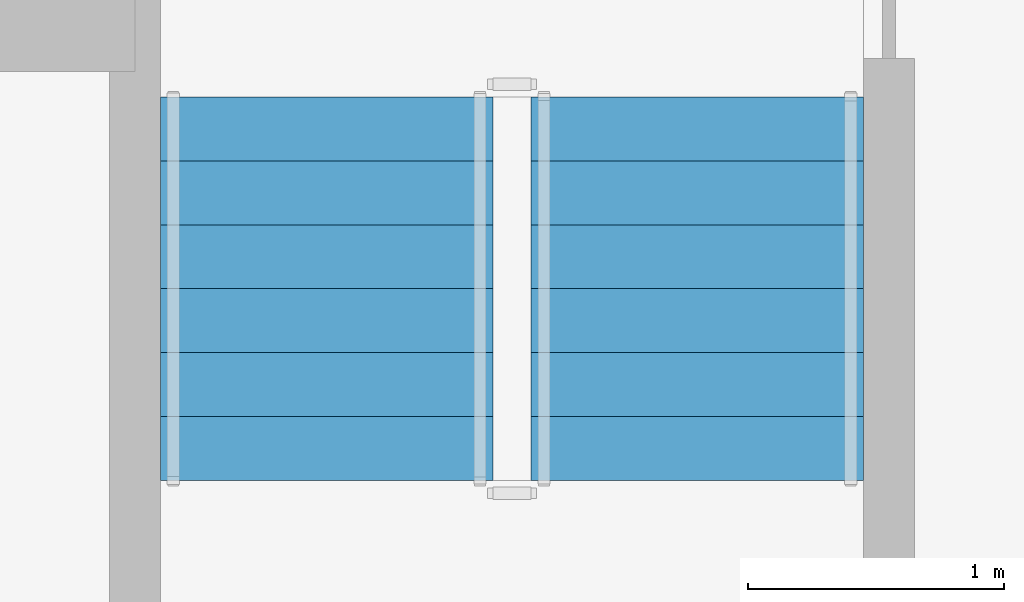
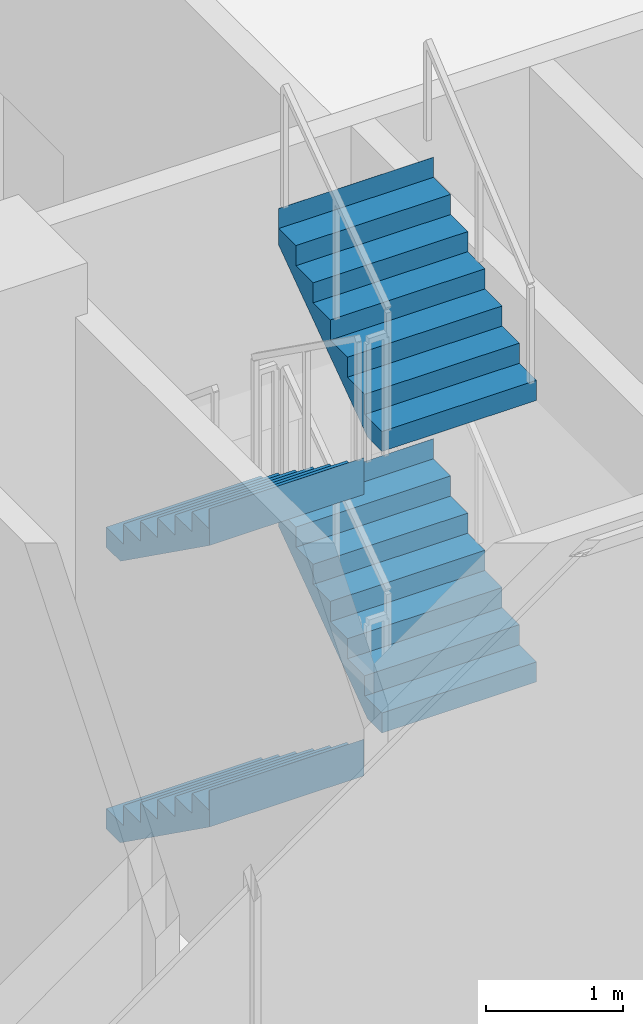
# One storey, part 29 of 57: 4 stair flights, 1 element without a shape of its own.
"""IFC4 building model written with IfcOpenShell, lengths in metres."""

from ifc_helpers import new_model, si_unit, direction, frame, origin, place, context, subcontext, project, spatial, triangles, material, type_object, element, aggregate, save


model = new_model("IFC4")

# Units and contexts
model_context = context("Model", 3, precision=1e-05, world=origin(), true_north=direction((0.0, 1.0)))
body_context = subcontext(model_context, "Body", "Model", "MODEL_VIEW")
ifc_project = project(units=[si_unit("LENGTHUNIT", "METRE"), si_unit("AREAUNIT", "SQUARE_METRE"), si_unit("VOLUMEUNIT", "CUBIC_METRE"), si_unit("PLANEANGLEUNIT", "RADIAN"), si_unit("MASSUNIT", "GRAM", prefix="KILO")], contexts=[model_context])

# Site, building, storey
site_placement = place(None, origin())
site = spatial("IfcSite", under=ifc_project, at=site_placement, CompositionType="ELEMENT")
building_placement = place(site_placement, origin())
building = spatial("IfcBuilding", under=site, at=building_placement, Name="Beryl Residences", CompositionType="ELEMENT")
storey_placement = place(building_placement, origin())
storey = spatial("IfcBuildingStorey", under=building, at=storey_placement, Name="L00", CompositionType="ELEMENT", Elevation=0.0)

# Stair, stair flights
ifc_material_1 = material(Name="Concrete C40/50", Category="concrete")
stair_type = type_object("IfcStairType", Name="ST1 protected exit stair, half-turn, 1300 mm flights", PredefinedType="HALF_TURN_STAIR", material=ifc_material_1)
stair_placement = place(storey_placement, origin())
stair = element("IfcStair", 1, at=stair_placement, inside=storey, type_object=stair_type, Name="L00 Podium exit stair 4", PredefinedType="HALF_TURN_STAIR")
ifc_material_2 = material(Name="Concrete C40/50", Category="concrete")
stair_flight_type = type_object("IfcStairFlightType", Name="SF1 stair flight 1300 mm", PredefinedType="STRAIGHT", material=ifc_material_2)
stair_flight_1_placement = place(storey_placement, frame((-41.949951171875, -27.60009765625, 0.0), z_axis=(0.0, 0.0, 1.0), x_axis=(0.0, -1.0, 0.0)))
stair_flight_1 = element("IfcStairFlight", 2, at=stair_flight_1_placement, type_object=stair_flight_type, Name="PS-4 flight 1", NumberOfRisers=7, NumberOfTreads=6, PredefinedType="STRAIGHT", RiserHeight=0.178571429, TreadLength=0.25, context=body_context, shape_type="Tessellation", body=[
    triangles([(0.0, -0.64990234375, 0.0), (0.0, -0.324951171875, 0.0), (0.0, 0.0, 0.0), (0.0, 0.324951171875, 0.0), (0.0, 0.64990234375, 0.0), (0.0, -0.64990234375, 0.178466796875), (0.0, -0.324951171875, 0.178466796875), (0.0, 0.0, 0.178466796875), (0.0, 0.324951171875, 0.178466796875), (0.0, 0.64990234375, 0.178466796875), (0.25, -0.64990234375, 0.178466796875), (0.25, -0.324951171875, 0.178466796875), (0.25, 0.0, 0.178466796875), (0.25, 0.324951171875, 0.178466796875), (0.25, 0.64990234375, 0.178466796875), (0.25, -0.64990234375, 0.357177734375), (0.25, -0.324951171875, 0.357177734375), (0.25, 0.0, 0.357177734375), (0.25, 0.324951171875, 0.357177734375), (0.25, 0.64990234375, 0.357177734375), (0.5, -0.64990234375, 0.357177734375), (0.5, -0.324951171875, 0.357177734375), (0.5, 0.0, 0.357177734375), (0.5, 0.324951171875, 0.357177734375), (0.5, 0.64990234375, 0.357177734375), (0.5, -0.64990234375, 0.53564453125), (0.5, -0.324951171875, 0.53564453125), (0.5, 0.0, 0.53564453125), (0.5, 0.324951171875, 0.53564453125), (0.5, 0.64990234375, 0.53564453125), (0.75, -0.64990234375, 0.53564453125), (0.75, -0.324951171875, 0.53564453125), (0.75, 0.0, 0.53564453125), (0.75, 0.324951171875, 0.53564453125), (0.75, 0.64990234375, 0.53564453125), (0.75, -0.64990234375, 0.71435546875), (0.75, -0.324951171875, 0.71435546875), (0.75, 0.0, 0.71435546875), (0.75, 0.324951171875, 0.71435546875), (0.75, 0.64990234375, 0.71435546875), (1.0, -0.64990234375, 0.71435546875), (1.0, -0.324951171875, 0.71435546875), (1.0, 0.0, 0.71435546875), (1.0, 0.324951171875, 0.71435546875), (1.0, 0.64990234375, 0.71435546875), (1.0, -0.64990234375, 0.892822265625), (1.0, -0.324951171875, 0.892822265625), (1.0, 0.0, 0.892822265625), (1.0, 0.324951171875, 0.892822265625), (1.0, 0.64990234375, 0.892822265625), (1.25, -0.64990234375, 0.892822265625), (1.25, -0.324951171875, 0.892822265625), (1.25, 0.0, 0.892822265625), (1.25, 0.324951171875, 0.892822265625), (1.25, 0.64990234375, 0.892822265625), (1.25, -0.64990234375, 1.071533203125), (1.25, -0.324951171875, 1.071533203125), (1.25, 0.0, 1.071533203125), (1.25, 0.324951171875, 1.071533203125), (1.25, 0.64990234375, 1.071533203125), (1.5, -0.64990234375, 1.071533203125), (1.5, -0.324951171875, 1.071533203125), (1.5, 0.0, 1.071533203125), (1.5, 0.324951171875, 1.071533203125), (1.5, 0.64990234375, 1.071533203125), (1.5, -0.64990234375, 1.25), (1.5, -0.324951171875, 1.25), (1.5, 0.0, 1.25), (1.5, 0.324951171875, 1.25), (1.5, 0.64990234375, 1.25), (1.5009765625, -0.64990234375, 1.25), (1.5009765625, -0.324951171875, 1.25), (1.5009765625, 0.0, 1.25), (1.5009765625, 0.324951171875, 1.25), (1.5009765625, 0.64990234375, 1.25), (1.5009765625, -0.64990234375, 0.923828125), (1.5009765625, -0.324951171875, 0.923828125), (1.5009765625, 0.0, 0.923828125), (1.5009765625, 0.324951171875, 0.923828125), (1.5009765625, 0.64990234375, 0.923828125), (0.20751953125, -0.64990234375, 0.0), (0.20751953125, -0.324951171875, 0.0), (0.20751953125, 0.0, 0.0), (0.20751953125, 0.324951171875, 0.0), (0.20751953125, 0.64990234375, 0.0)], [[1, 6, 7], [1, 7, 2], [2, 7, 8], [2, 8, 3], [3, 8, 9], [3, 9, 4], [4, 9, 10], [4, 10, 5], [6, 11, 12], [6, 12, 7], [7, 12, 13], [7, 13, 8], [8, 13, 14], [8, 14, 9], [9, 14, 15], [9, 15, 10], [11, 16, 17], [11, 17, 12], [12, 17, 18], [12, 18, 13], [13, 18, 19], [13, 19, 14], [14, 19, 20], [14, 20, 15], [16, 21, 22], [16, 22, 17], [17, 22, 23], [17, 23, 18], [18, 23, 24], [18, 24, 19], [19, 24, 25], [19, 25, 20], [21, 26, 27], [21, 27, 22], [22, 27, 28], [22, 28, 23], [23, 28, 29], [23, 29, 24], [24, 29, 30], [24, 30, 25], [26, 31, 32], [26, 32, 27], [27, 32, 33], [27, 33, 28], [28, 33, 34], [28, 34, 29], [29, 34, 35], [29, 35, 30], [31, 36, 37], [31, 37, 32], [32, 37, 38], [32, 38, 33], [33, 38, 39], [33, 39, 34], [34, 39, 40], [34, 40, 35], [36, 41, 42], [36, 42, 37], [37, 42, 43], [37, 43, 38], [38, 43, 44], [38, 44, 39], [39, 44, 45], [39, 45, 40], [41, 46, 47], [41, 47, 42], [42, 47, 48], [42, 48, 43], [43, 48, 49], [43, 49, 44], [44, 49, 50], [44, 50, 45], [46, 51, 52], [46, 52, 47], [47, 52, 53], [47, 53, 48], [48, 53, 54], [48, 54, 49], [49, 54, 55], [49, 55, 50], [51, 56, 57], [51, 57, 52], [52, 57, 58], [52, 58, 53], [53, 58, 59], [53, 59, 54], [54, 59, 60], [54, 60, 55], [56, 61, 62], [56, 62, 57], [57, 62, 63], [57, 63, 58], [58, 63, 64], [58, 64, 59], [59, 64, 65], [59, 65, 60], [61, 66, 67], [61, 67, 62], [62, 67, 68], [62, 68, 63], [63, 68, 69], [63, 69, 64], [64, 69, 70], [64, 70, 65], [66, 71, 72], [66, 72, 67], [67, 72, 73], [67, 73, 68], [68, 73, 74], [68, 74, 69], [69, 74, 75], [69, 75, 70], [71, 76, 77], [71, 77, 72], [72, 77, 78], [72, 78, 73], [73, 78, 79], [73, 79, 74], [74, 79, 80], [74, 80, 75], [76, 81, 82], [76, 82, 77], [77, 82, 83], [77, 83, 78], [78, 83, 84], [78, 84, 79], [79, 84, 85], [79, 85, 80], [81, 1, 2], [81, 2, 82], [82, 2, 3], [82, 3, 83], [83, 3, 4], [83, 4, 84], [84, 4, 5], [84, 5, 85], [1, 81, 76], [5, 80, 85], [76, 71, 66], [80, 70, 75], [76, 66, 61], [80, 65, 70], [76, 61, 56], [80, 60, 65], [76, 56, 51], [80, 55, 60], [51, 46, 41], [55, 45, 50], [76, 51, 41], [80, 45, 55], [41, 36, 31], [45, 35, 40], [76, 41, 31], [80, 35, 45], [31, 26, 21], [35, 25, 30], [76, 31, 21], [80, 25, 35], [21, 16, 11], [25, 15, 20], [76, 21, 11], [80, 15, 25], [1, 76, 11], [5, 15, 80], [11, 6, 1], [15, 5, 10]], closed=True),
])
stair_flight_2_placement = place(storey_placement, frame((-40.5, -29.10009765625, 1.25), z_axis=(0.0, 0.0, 1.0), x_axis=(0.0, 1.0, 0.0)))
stair_flight_2 = element("IfcStairFlight", 3, at=stair_flight_2_placement, type_object=stair_flight_type, Name="PS-4 flight 2", NumberOfRisers=7, NumberOfTreads=6, PredefinedType="STRAIGHT", RiserHeight=0.178571429, TreadLength=0.25, context=body_context, shape_type="Tessellation", body=[
    triangles([(0.0, -0.64990234375, 0.0), (0.0, -0.324951171875, 0.0), (0.0, 0.0, 0.0), (0.0, 0.324951171875, 0.0), (0.0, 0.64990234375, 0.0), (0.0, -0.64990234375, 0.178466796875), (0.0, -0.324951171875, 0.178466796875), (0.0, 0.0, 0.178466796875), (0.0, 0.324951171875, 0.178466796875), (0.0, 0.64990234375, 0.178466796875), (0.25, -0.64990234375, 0.178466796875), (0.25, -0.324951171875, 0.178466796875), (0.25, 0.0, 0.178466796875), (0.25, 0.324951171875, 0.178466796875), (0.25, 0.64990234375, 0.178466796875), (0.25, -0.64990234375, 0.357177734375), (0.25, -0.324951171875, 0.357177734375), (0.25, 0.0, 0.357177734375), (0.25, 0.324951171875, 0.357177734375), (0.25, 0.64990234375, 0.357177734375), (0.5, -0.64990234375, 0.357177734375), (0.5, -0.324951171875, 0.357177734375), (0.5, 0.0, 0.357177734375), (0.5, 0.324951171875, 0.357177734375), (0.5, 0.64990234375, 0.357177734375), (0.5, -0.64990234375, 0.53564453125), (0.5, -0.324951171875, 0.53564453125), (0.5, 0.0, 0.53564453125), (0.5, 0.324951171875, 0.53564453125), (0.5, 0.64990234375, 0.53564453125), (0.75, -0.64990234375, 0.53564453125), (0.75, -0.324951171875, 0.53564453125), (0.75, 0.0, 0.53564453125), (0.75, 0.324951171875, 0.53564453125), (0.75, 0.64990234375, 0.53564453125), (0.75, -0.64990234375, 0.71435546875), (0.75, -0.324951171875, 0.71435546875), (0.75, 0.0, 0.71435546875), (0.75, 0.324951171875, 0.71435546875), (0.75, 0.64990234375, 0.71435546875), (1.0, -0.64990234375, 0.71435546875), (1.0, -0.324951171875, 0.71435546875), (1.0, 0.0, 0.71435546875), (1.0, 0.324951171875, 0.71435546875), (1.0, 0.64990234375, 0.71435546875), (1.0, -0.64990234375, 0.892822265625), (1.0, -0.324951171875, 0.892822265625), (1.0, 0.0, 0.892822265625), (1.0, 0.324951171875, 0.892822265625), (1.0, 0.64990234375, 0.892822265625), (1.25, -0.64990234375, 0.892822265625), (1.25, -0.324951171875, 0.892822265625), (1.25, 0.0, 0.892822265625), (1.25, 0.324951171875, 0.892822265625), (1.25, 0.64990234375, 0.892822265625), (1.25, -0.64990234375, 1.071533203125), (1.25, -0.324951171875, 1.071533203125), (1.25, 0.0, 1.071533203125), (1.25, 0.324951171875, 1.071533203125), (1.25, 0.64990234375, 1.071533203125), (1.5, -0.64990234375, 1.071533203125), (1.5, -0.324951171875, 1.071533203125), (1.5, 0.0, 1.071533203125), (1.5, 0.324951171875, 1.071533203125), (1.5, 0.64990234375, 1.071533203125), (1.5, -0.64990234375, 1.25), (1.5, -0.324951171875, 1.25), (1.5, 0.0, 1.25), (1.5, 0.324951171875, 1.25), (1.5, 0.64990234375, 1.25), (1.5009765625, -0.64990234375, 1.25), (1.5009765625, -0.324951171875, 1.25), (1.5009765625, 0.0, 1.25), (1.5009765625, 0.324951171875, 1.25), (1.5009765625, 0.64990234375, 1.25), (1.5009765625, -0.64990234375, 0.923828125), (1.5009765625, -0.324951171875, 0.923828125), (1.5009765625, 0.0, 0.923828125), (1.5009765625, 0.324951171875, 0.923828125), (1.5009765625, 0.64990234375, 0.923828125), (0.20751953125, -0.64990234375, 0.0), (0.20751953125, -0.324951171875, 0.0), (0.20751953125, 0.0, 0.0), (0.20751953125, 0.324951171875, 0.0), (0.20751953125, 0.64990234375, 0.0)], [[1, 6, 7], [1, 7, 2], [2, 7, 8], [2, 8, 3], [3, 8, 9], [3, 9, 4], [4, 9, 10], [4, 10, 5], [6, 11, 12], [6, 12, 7], [7, 12, 13], [7, 13, 8], [8, 13, 14], [8, 14, 9], [9, 14, 15], [9, 15, 10], [11, 16, 17], [11, 17, 12], [12, 17, 18], [12, 18, 13], [13, 18, 19], [13, 19, 14], [14, 19, 20], [14, 20, 15], [16, 21, 22], [16, 22, 17], [17, 22, 23], [17, 23, 18], [18, 23, 24], [18, 24, 19], [19, 24, 25], [19, 25, 20], [21, 26, 27], [21, 27, 22], [22, 27, 28], [22, 28, 23], [23, 28, 29], [23, 29, 24], [24, 29, 30], [24, 30, 25], [26, 31, 32], [26, 32, 27], [27, 32, 33], [27, 33, 28], [28, 33, 34], [28, 34, 29], [29, 34, 35], [29, 35, 30], [31, 36, 37], [31, 37, 32], [32, 37, 38], [32, 38, 33], [33, 38, 39], [33, 39, 34], [34, 39, 40], [34, 40, 35], [36, 41, 42], [36, 42, 37], [37, 42, 43], [37, 43, 38], [38, 43, 44], [38, 44, 39], [39, 44, 45], [39, 45, 40], [41, 46, 47], [41, 47, 42], [42, 47, 48], [42, 48, 43], [43, 48, 49], [43, 49, 44], [44, 49, 50], [44, 50, 45], [46, 51, 52], [46, 52, 47], [47, 52, 53], [47, 53, 48], [48, 53, 54], [48, 54, 49], [49, 54, 55], [49, 55, 50], [51, 56, 57], [51, 57, 52], [52, 57, 58], [52, 58, 53], [53, 58, 59], [53, 59, 54], [54, 59, 60], [54, 60, 55], [56, 61, 62], [56, 62, 57], [57, 62, 63], [57, 63, 58], [58, 63, 64], [58, 64, 59], [59, 64, 65], [59, 65, 60], [61, 66, 67], [61, 67, 62], [62, 67, 68], [62, 68, 63], [63, 68, 69], [63, 69, 64], [64, 69, 70], [64, 70, 65], [66, 71, 72], [66, 72, 67], [67, 72, 73], [67, 73, 68], [68, 73, 74], [68, 74, 69], [69, 74, 75], [69, 75, 70], [71, 76, 77], [71, 77, 72], [72, 77, 78], [72, 78, 73], [73, 78, 79], [73, 79, 74], [74, 79, 80], [74, 80, 75], [76, 81, 82], [76, 82, 77], [77, 82, 83], [77, 83, 78], [78, 83, 84], [78, 84, 79], [79, 84, 85], [79, 85, 80], [81, 1, 2], [81, 2, 82], [82, 2, 3], [82, 3, 83], [83, 3, 4], [83, 4, 84], [84, 4, 5], [84, 5, 85], [1, 81, 76], [5, 80, 85], [76, 71, 66], [80, 70, 75], [76, 66, 61], [80, 65, 70], [76, 61, 56], [80, 60, 65], [76, 56, 51], [80, 55, 60], [51, 46, 41], [55, 45, 50], [76, 51, 41], [80, 45, 55], [41, 36, 31], [45, 35, 40], [76, 41, 31], [80, 35, 45], [31, 26, 21], [35, 25, 30], [76, 31, 21], [80, 25, 35], [21, 16, 11], [25, 15, 20], [76, 21, 11], [80, 15, 25], [1, 76, 11], [5, 15, 80], [11, 6, 1], [15, 5, 10]], closed=True),
])
stair_flight_3_placement = place(storey_placement, frame((-41.949951171875, -27.60009765625, 2.5), z_axis=(0.0, 0.0, 1.0), x_axis=(0.0, -1.0, 0.0)))
stair_flight_3 = element("IfcStairFlight", 4, at=stair_flight_3_placement, type_object=stair_flight_type, Name="PS-4 flight 3", NumberOfRisers=7, NumberOfTreads=6, PredefinedType="STRAIGHT", RiserHeight=0.178571429, TreadLength=0.25, context=body_context, shape_type="Tessellation", body=[
    triangles([(0.0, -0.64990234375, 0.0), (0.0, -0.324951171875, 0.0), (0.0, 0.0, 0.0), (0.0, 0.324951171875, 0.0), (0.0, 0.64990234375, 0.0), (0.0, -0.64990234375, 0.178466796875), (0.0, -0.324951171875, 0.178466796875), (0.0, 0.0, 0.178466796875), (0.0, 0.324951171875, 0.178466796875), (0.0, 0.64990234375, 0.178466796875), (0.25, -0.64990234375, 0.178466796875), (0.25, -0.324951171875, 0.178466796875), (0.25, 0.0, 0.178466796875), (0.25, 0.324951171875, 0.178466796875), (0.25, 0.64990234375, 0.178466796875), (0.25, -0.64990234375, 0.357177734375), (0.25, -0.324951171875, 0.357177734375), (0.25, 0.0, 0.357177734375), (0.25, 0.324951171875, 0.357177734375), (0.25, 0.64990234375, 0.357177734375), (0.5, -0.64990234375, 0.357177734375), (0.5, -0.324951171875, 0.357177734375), (0.5, 0.0, 0.357177734375), (0.5, 0.324951171875, 0.357177734375), (0.5, 0.64990234375, 0.357177734375), (0.5, -0.64990234375, 0.53564453125), (0.5, -0.324951171875, 0.53564453125), (0.5, 0.0, 0.53564453125), (0.5, 0.324951171875, 0.53564453125), (0.5, 0.64990234375, 0.53564453125), (0.75, -0.64990234375, 0.53564453125), (0.75, -0.324951171875, 0.53564453125), (0.75, 0.0, 0.53564453125), (0.75, 0.324951171875, 0.53564453125), (0.75, 0.64990234375, 0.53564453125), (0.75, -0.64990234375, 0.71435546875), (0.75, -0.324951171875, 0.71435546875), (0.75, 0.0, 0.71435546875), (0.75, 0.324951171875, 0.71435546875), (0.75, 0.64990234375, 0.71435546875), (1.0, -0.64990234375, 0.71435546875), (1.0, -0.324951171875, 0.71435546875), (1.0, 0.0, 0.71435546875), (1.0, 0.324951171875, 0.71435546875), (1.0, 0.64990234375, 0.71435546875), (1.0, -0.64990234375, 0.892822265625), (1.0, -0.324951171875, 0.892822265625), (1.0, 0.0, 0.892822265625), (1.0, 0.324951171875, 0.892822265625), (1.0, 0.64990234375, 0.892822265625), (1.25, -0.64990234375, 0.892822265625), (1.25, -0.324951171875, 0.892822265625), (1.25, 0.0, 0.892822265625), (1.25, 0.324951171875, 0.892822265625), (1.25, 0.64990234375, 0.892822265625), (1.25, -0.64990234375, 1.071533203125), (1.25, -0.324951171875, 1.071533203125), (1.25, 0.0, 1.071533203125), (1.25, 0.324951171875, 1.071533203125), (1.25, 0.64990234375, 1.071533203125), (1.5, -0.64990234375, 1.071533203125), (1.5, -0.324951171875, 1.071533203125), (1.5, 0.0, 1.071533203125), (1.5, 0.324951171875, 1.071533203125), (1.5, 0.64990234375, 1.071533203125), (1.5, -0.64990234375, 1.25), (1.5, -0.324951171875, 1.25), (1.5, 0.0, 1.25), (1.5, 0.324951171875, 1.25), (1.5, 0.64990234375, 1.25), (1.5009765625, -0.64990234375, 1.25), (1.5009765625, -0.324951171875, 1.25), (1.5009765625, 0.0, 1.25), (1.5009765625, 0.324951171875, 1.25), (1.5009765625, 0.64990234375, 1.25), (1.5009765625, -0.64990234375, 0.923828125), (1.5009765625, -0.324951171875, 0.923828125), (1.5009765625, 0.0, 0.923828125), (1.5009765625, 0.324951171875, 0.923828125), (1.5009765625, 0.64990234375, 0.923828125), (0.20751953125, -0.64990234375, 0.0), (0.20751953125, -0.324951171875, 0.0), (0.20751953125, 0.0, 0.0), (0.20751953125, 0.324951171875, 0.0), (0.20751953125, 0.64990234375, 0.0)], [[1, 6, 7], [1, 7, 2], [2, 7, 8], [2, 8, 3], [3, 8, 9], [3, 9, 4], [4, 9, 10], [4, 10, 5], [6, 11, 12], [6, 12, 7], [7, 12, 13], [7, 13, 8], [8, 13, 14], [8, 14, 9], [9, 14, 15], [9, 15, 10], [11, 16, 17], [11, 17, 12], [12, 17, 18], [12, 18, 13], [13, 18, 19], [13, 19, 14], [14, 19, 20], [14, 20, 15], [16, 21, 22], [16, 22, 17], [17, 22, 23], [17, 23, 18], [18, 23, 24], [18, 24, 19], [19, 24, 25], [19, 25, 20], [21, 26, 27], [21, 27, 22], [22, 27, 28], [22, 28, 23], [23, 28, 29], [23, 29, 24], [24, 29, 30], [24, 30, 25], [26, 31, 32], [26, 32, 27], [27, 32, 33], [27, 33, 28], [28, 33, 34], [28, 34, 29], [29, 34, 35], [29, 35, 30], [31, 36, 37], [31, 37, 32], [32, 37, 38], [32, 38, 33], [33, 38, 39], [33, 39, 34], [34, 39, 40], [34, 40, 35], [36, 41, 42], [36, 42, 37], [37, 42, 43], [37, 43, 38], [38, 43, 44], [38, 44, 39], [39, 44, 45], [39, 45, 40], [41, 46, 47], [41, 47, 42], [42, 47, 48], [42, 48, 43], [43, 48, 49], [43, 49, 44], [44, 49, 50], [44, 50, 45], [46, 51, 52], [46, 52, 47], [47, 52, 53], [47, 53, 48], [48, 53, 54], [48, 54, 49], [49, 54, 55], [49, 55, 50], [51, 56, 57], [51, 57, 52], [52, 57, 58], [52, 58, 53], [53, 58, 59], [53, 59, 54], [54, 59, 60], [54, 60, 55], [56, 61, 62], [56, 62, 57], [57, 62, 63], [57, 63, 58], [58, 63, 64], [58, 64, 59], [59, 64, 65], [59, 65, 60], [61, 66, 67], [61, 67, 62], [62, 67, 68], [62, 68, 63], [63, 68, 69], [63, 69, 64], [64, 69, 70], [64, 70, 65], [66, 71, 72], [66, 72, 67], [67, 72, 73], [67, 73, 68], [68, 73, 74], [68, 74, 69], [69, 74, 75], [69, 75, 70], [71, 76, 77], [71, 77, 72], [72, 77, 78], [72, 78, 73], [73, 78, 79], [73, 79, 74], [74, 79, 80], [74, 80, 75], [76, 81, 82], [76, 82, 77], [77, 82, 83], [77, 83, 78], [78, 83, 84], [78, 84, 79], [79, 84, 85], [79, 85, 80], [81, 1, 2], [81, 2, 82], [82, 2, 3], [82, 3, 83], [83, 3, 4], [83, 4, 84], [84, 4, 5], [84, 5, 85], [1, 81, 76], [5, 80, 85], [76, 71, 66], [80, 70, 75], [76, 66, 61], [80, 65, 70], [76, 61, 56], [80, 60, 65], [76, 56, 51], [80, 55, 60], [51, 46, 41], [55, 45, 50], [76, 51, 41], [80, 45, 55], [41, 36, 31], [45, 35, 40], [76, 41, 31], [80, 35, 45], [31, 26, 21], [35, 25, 30], [76, 31, 21], [80, 25, 35], [21, 16, 11], [25, 15, 20], [76, 21, 11], [80, 15, 25], [1, 76, 11], [5, 15, 80], [11, 6, 1], [15, 5, 10]], closed=True),
])
stair_flight_4_placement = place(storey_placement, frame((-40.5, -29.10009765625, 3.75), z_axis=(0.0, 0.0, 1.0), x_axis=(0.0, 1.0, 0.0)))
stair_flight_4 = element("IfcStairFlight", 5, at=stair_flight_4_placement, type_object=stair_flight_type, Name="PS-4 flight 4", NumberOfRisers=7, NumberOfTreads=6, PredefinedType="STRAIGHT", RiserHeight=0.178571429, TreadLength=0.25, context=body_context, shape_type="Tessellation", body=[
    triangles([(0.0, -0.64990234375, 0.0), (0.0, -0.324951171875, 0.0), (0.0, 0.0, 0.0), (0.0, 0.324951171875, 0.0), (0.0, 0.64990234375, 0.0), (0.0, -0.64990234375, 0.178466796875), (0.0, -0.324951171875, 0.178466796875), (0.0, 0.0, 0.178466796875), (0.0, 0.324951171875, 0.178466796875), (0.0, 0.64990234375, 0.178466796875), (0.25, -0.64990234375, 0.178466796875), (0.25, -0.324951171875, 0.178466796875), (0.25, 0.0, 0.178466796875), (0.25, 0.324951171875, 0.178466796875), (0.25, 0.64990234375, 0.178466796875), (0.25, -0.64990234375, 0.357177734375), (0.25, -0.324951171875, 0.357177734375), (0.25, 0.0, 0.357177734375), (0.25, 0.324951171875, 0.357177734375), (0.25, 0.64990234375, 0.357177734375), (0.5, -0.64990234375, 0.357177734375), (0.5, -0.324951171875, 0.357177734375), (0.5, 0.0, 0.357177734375), (0.5, 0.324951171875, 0.357177734375), (0.5, 0.64990234375, 0.357177734375), (0.5, -0.64990234375, 0.53564453125), (0.5, -0.324951171875, 0.53564453125), (0.5, 0.0, 0.53564453125), (0.5, 0.324951171875, 0.53564453125), (0.5, 0.64990234375, 0.53564453125), (0.75, -0.64990234375, 0.53564453125), (0.75, -0.324951171875, 0.53564453125), (0.75, 0.0, 0.53564453125), (0.75, 0.324951171875, 0.53564453125), (0.75, 0.64990234375, 0.53564453125), (0.75, -0.64990234375, 0.71435546875), (0.75, -0.324951171875, 0.71435546875), (0.75, 0.0, 0.71435546875), (0.75, 0.324951171875, 0.71435546875), (0.75, 0.64990234375, 0.71435546875), (1.0, -0.64990234375, 0.71435546875), (1.0, -0.324951171875, 0.71435546875), (1.0, 0.0, 0.71435546875), (1.0, 0.324951171875, 0.71435546875), (1.0, 0.64990234375, 0.71435546875), (1.0, -0.64990234375, 0.892822265625), (1.0, -0.324951171875, 0.892822265625), (1.0, 0.0, 0.892822265625), (1.0, 0.324951171875, 0.892822265625), (1.0, 0.64990234375, 0.892822265625), (1.25, -0.64990234375, 0.892822265625), (1.25, -0.324951171875, 0.892822265625), (1.25, 0.0, 0.892822265625), (1.25, 0.324951171875, 0.892822265625), (1.25, 0.64990234375, 0.892822265625), (1.25, -0.64990234375, 1.071533203125), (1.25, -0.324951171875, 1.071533203125), (1.25, 0.0, 1.071533203125), (1.25, 0.324951171875, 1.071533203125), (1.25, 0.64990234375, 1.071533203125), (1.5, -0.64990234375, 1.071533203125), (1.5, -0.324951171875, 1.071533203125), (1.5, 0.0, 1.071533203125), (1.5, 0.324951171875, 1.071533203125), (1.5, 0.64990234375, 1.071533203125), (1.5, -0.64990234375, 1.25), (1.5, -0.324951171875, 1.25), (1.5, 0.0, 1.25), (1.5, 0.324951171875, 1.25), (1.5, 0.64990234375, 1.25), (1.5009765625, -0.64990234375, 1.25), (1.5009765625, -0.324951171875, 1.25), (1.5009765625, 0.0, 1.25), (1.5009765625, 0.324951171875, 1.25), (1.5009765625, 0.64990234375, 1.25), (1.5009765625, -0.64990234375, 0.923828125), (1.5009765625, -0.324951171875, 0.923828125), (1.5009765625, 0.0, 0.923828125), (1.5009765625, 0.324951171875, 0.923828125), (1.5009765625, 0.64990234375, 0.923828125), (0.20751953125, -0.64990234375, 0.0), (0.20751953125, -0.324951171875, 0.0), (0.20751953125, 0.0, 0.0), (0.20751953125, 0.324951171875, 0.0), (0.20751953125, 0.64990234375, 0.0)], [[1, 6, 7], [1, 7, 2], [2, 7, 8], [2, 8, 3], [3, 8, 9], [3, 9, 4], [4, 9, 10], [4, 10, 5], [6, 11, 12], [6, 12, 7], [7, 12, 13], [7, 13, 8], [8, 13, 14], [8, 14, 9], [9, 14, 15], [9, 15, 10], [11, 16, 17], [11, 17, 12], [12, 17, 18], [12, 18, 13], [13, 18, 19], [13, 19, 14], [14, 19, 20], [14, 20, 15], [16, 21, 22], [16, 22, 17], [17, 22, 23], [17, 23, 18], [18, 23, 24], [18, 24, 19], [19, 24, 25], [19, 25, 20], [21, 26, 27], [21, 27, 22], [22, 27, 28], [22, 28, 23], [23, 28, 29], [23, 29, 24], [24, 29, 30], [24, 30, 25], [26, 31, 32], [26, 32, 27], [27, 32, 33], [27, 33, 28], [28, 33, 34], [28, 34, 29], [29, 34, 35], [29, 35, 30], [31, 36, 37], [31, 37, 32], [32, 37, 38], [32, 38, 33], [33, 38, 39], [33, 39, 34], [34, 39, 40], [34, 40, 35], [36, 41, 42], [36, 42, 37], [37, 42, 43], [37, 43, 38], [38, 43, 44], [38, 44, 39], [39, 44, 45], [39, 45, 40], [41, 46, 47], [41, 47, 42], [42, 47, 48], [42, 48, 43], [43, 48, 49], [43, 49, 44], [44, 49, 50], [44, 50, 45], [46, 51, 52], [46, 52, 47], [47, 52, 53], [47, 53, 48], [48, 53, 54], [48, 54, 49], [49, 54, 55], [49, 55, 50], [51, 56, 57], [51, 57, 52], [52, 57, 58], [52, 58, 53], [53, 58, 59], [53, 59, 54], [54, 59, 60], [54, 60, 55], [56, 61, 62], [56, 62, 57], [57, 62, 63], [57, 63, 58], [58, 63, 64], [58, 64, 59], [59, 64, 65], [59, 65, 60], [61, 66, 67], [61, 67, 62], [62, 67, 68], [62, 68, 63], [63, 68, 69], [63, 69, 64], [64, 69, 70], [64, 70, 65], [66, 71, 72], [66, 72, 67], [67, 72, 73], [67, 73, 68], [68, 73, 74], [68, 74, 69], [69, 74, 75], [69, 75, 70], [71, 76, 77], [71, 77, 72], [72, 77, 78], [72, 78, 73], [73, 78, 79], [73, 79, 74], [74, 79, 80], [74, 80, 75], [76, 81, 82], [76, 82, 77], [77, 82, 83], [77, 83, 78], [78, 83, 84], [78, 84, 79], [79, 84, 85], [79, 85, 80], [81, 1, 2], [81, 2, 82], [82, 2, 3], [82, 3, 83], [83, 3, 4], [83, 4, 84], [84, 4, 5], [84, 5, 85], [1, 81, 76], [5, 80, 85], [76, 71, 66], [80, 70, 75], [76, 66, 61], [80, 65, 70], [76, 61, 56], [80, 60, 65], [76, 56, 51], [80, 55, 60], [51, 46, 41], [55, 45, 50], [76, 51, 41], [80, 45, 55], [41, 36, 31], [45, 35, 40], [76, 41, 31], [80, 35, 45], [31, 26, 21], [35, 25, 30], [76, 31, 21], [80, 25, 35], [21, 16, 11], [25, 15, 20], [76, 21, 11], [80, 15, 25], [1, 76, 11], [5, 15, 80], [11, 6, 1], [15, 5, 10]], closed=True),
])
aggregate(stair, [stair_flight_1, stair_flight_2, stair_flight_3, stair_flight_4])

save(model, "model.ifc")
